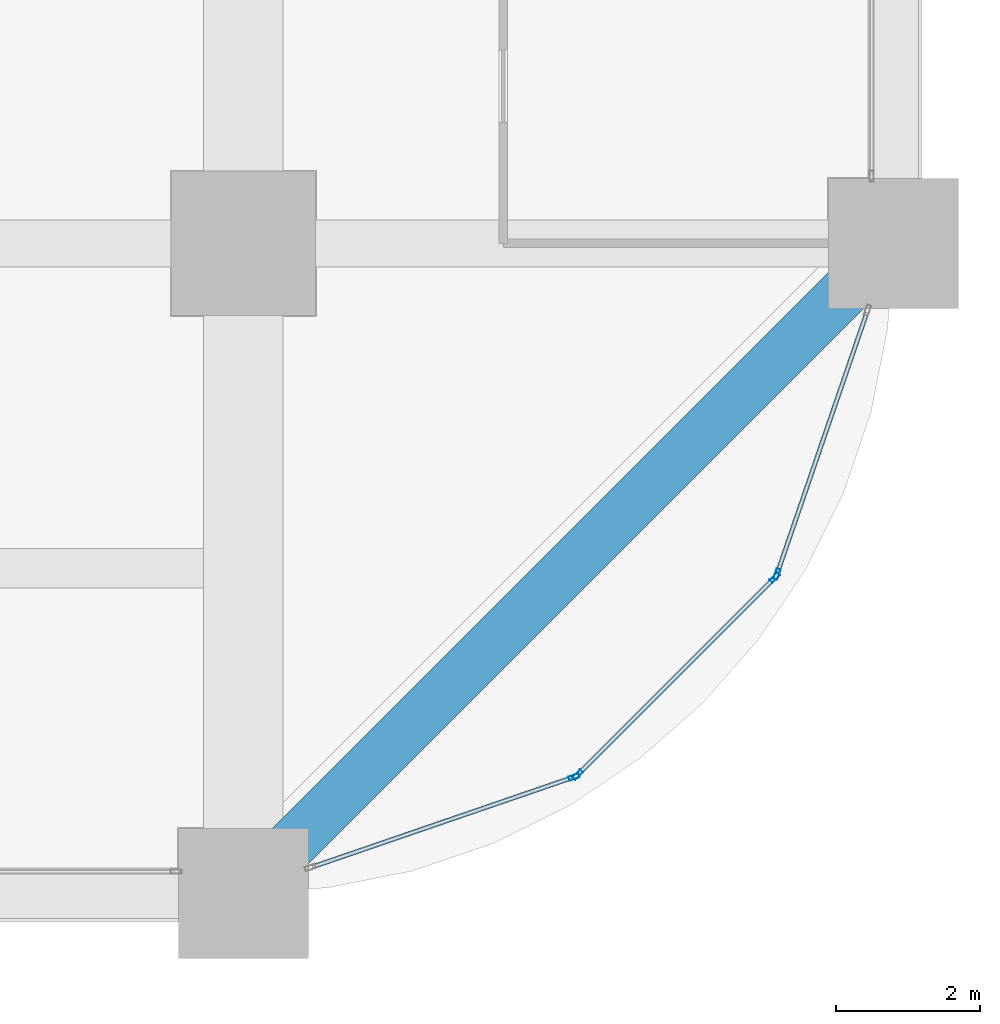
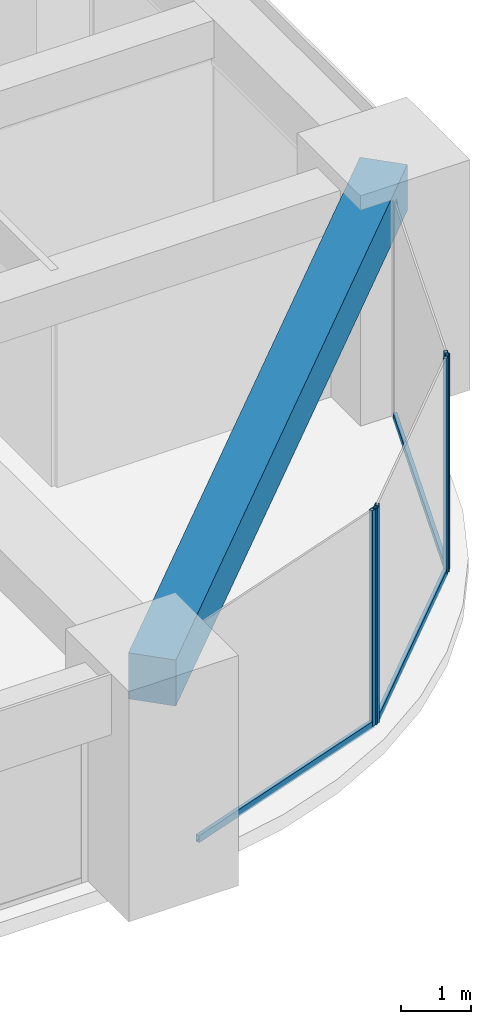
# One storey, part 17 of 41: 7 members, 1 beam, 3 elements without a shape of their own.
"""IFC4 building model written with IfcOpenShell, lengths in metres."""

from ifc_helpers import new_model, si_unit, direction, frame, origin, origin_2d, place, context, subcontext, project, spatial, rectangle, hollow_rectangle, extrude, material, material_profile, profile_set, type_object, element, aggregate, save


model = new_model("IFC4")

# Units and contexts
model_context = context("Model", 3, precision=1e-05, world=origin(), true_north=direction((0.0, 1.0)))
body_context = subcontext(model_context, "Body", "Model", "MODEL_VIEW")
ifc_project = project(units=[si_unit("LENGTHUNIT", "METRE"), si_unit("AREAUNIT", "SQUARE_METRE"), si_unit("VOLUMEUNIT", "CUBIC_METRE"), si_unit("PLANEANGLEUNIT", "RADIAN"), si_unit("MASSUNIT", "GRAM", prefix="KILO")], contexts=[model_context])

# Site, building, storey
site_placement = place(None, origin())
site = spatial("IfcSite", under=ifc_project, at=site_placement, CompositionType="ELEMENT")
building_placement = place(site_placement, origin())
building = spatial("IfcBuilding", under=site, at=building_placement, Name="Zorevar Civic Tower", CompositionType="ELEMENT")
storey_placement = place(building_placement, frame((0.0, 0.0, 109.0)))
storey = spatial("IfcBuildingStorey", under=building, at=storey_placement, Name="L26", CompositionType="ELEMENT", Elevation=109.0)

# Curtain wall, member
ifc_material_1 = material(Name="Dark grey solar-control glass in black aluminium frame", Category="aluminium")
curtain_wall_type = type_object("IfcCurtainWallType", Name="Curtain wall CW3 mid zone", PredefinedType="NOTDEFINED", material=ifc_material_1)
curtain_wall_1_placement = place(storey_placement, origin())
curtain_wall_1 = element("IfcCurtainWall", 1, at=curtain_wall_1_placement, inside=storey, type_object=curtain_wall_type, Name="CW3 L26", PredefinedType="NOTDEFINED")
ifc_material_2 = material(Name="Aluminium, black anodised", Category="aluminium")
ifc_material_profile_1 = material_profile(ifc_material_2, hollow_rectangle(XDim=0.06005859375, YDim=0.14990234375, WallThickness=0.00390625, at=origin_2d()), Name="AL 150x60x4")
ifc_profile_set_1 = profile_set([ifc_material_profile_1], Name="Aluminium, black anodised")
member_type_1 = type_object("IfcMemberType", Name="CW3 mullion AL 150x60x4", PredefinedType="MULLION", material=ifc_profile_set_1)
member_1_placement = place(storey_placement, frame((58.579345703125, 1.610595703125, 0.0), z_axis=(0.0, 0.0, 1.0), x_axis=(-0.324878466857, 0.945755772794, 0.0)))
member_1 = element("IfcMember", 2, at=member_1_placement, type_object=member_type_1, Name="CW3 mullion 2", PredefinedType="MULLION", context=body_context, shape_type="SweptSolid", body=[
    extrude(hollow_rectangle(XDim=0.06005859375, YDim=0.14990234375, WallThickness=0.00390625, at=origin_2d()), origin(), (0.0, 0.0, 1.0), 3.75),
])

# Curtain wall, members
curtain_wall_2_placement = place(storey_placement, origin())
curtain_wall_2 = element("IfcCurtainWall", 3, at=curtain_wall_2_placement, inside=storey, type_object=curtain_wall_type, Name="CW3 L26", PredefinedType="NOTDEFINED")
member_2_placement = place(storey_placement, frame((58.62890625, 1.6416015625, 0.0), z_axis=(0.0, 0.0, 1.0), x_axis=(-0.707106781187, 0.707106781187, 0.0)))
member_2 = element("IfcMember", 4, at=member_2_placement, type_object=member_type_1, Name="CW3 mullion 1", PredefinedType="MULLION", context=body_context, shape_type="SweptSolid", body=[
    extrude(hollow_rectangle(XDim=0.06005859375, YDim=0.14990234375, WallThickness=0.00390625, at=origin_2d()), origin(), (0.0, 0.0, 1.0), 3.75),
])
member_3_placement = place(storey_placement, frame((61.3583984375, 4.37109375, 0.0), z_axis=(0.0, 0.0, 1.0), x_axis=(-0.707106781187, 0.707106781187, 0.0)))
member_3 = element("IfcMember", 5, at=member_3_placement, type_object=member_type_1, Name="CW3 mullion 2", PredefinedType="MULLION", context=body_context, shape_type="SweptSolid", body=[
    extrude(hollow_rectangle(XDim=0.06005859375, YDim=0.14990234375, WallThickness=0.00390625, at=origin_2d()), origin(), (0.0, 0.0, 1.0), 3.75),
])

# Curtain wall, member
curtain_wall_3_placement = place(storey_placement, origin())
curtain_wall_3 = element("IfcCurtainWall", 6, at=curtain_wall_3_placement, inside=storey, type_object=curtain_wall_type, Name="CW3 L26", PredefinedType="NOTDEFINED")
member_4_placement = place(storey_placement, frame((61.389404296875, 4.420654296875, 0.0), z_axis=(0.0, 0.0, 1.0), x_axis=(-0.945755772794, 0.324878466857, 0.0)))
member_4 = element("IfcMember", 7, at=member_4_placement, type_object=member_type_1, Name="CW3 mullion 1", PredefinedType="MULLION", context=body_context, shape_type="SweptSolid", body=[
    extrude(hollow_rectangle(XDim=0.06005859375, YDim=0.14990234375, WallThickness=0.00390625, at=origin_2d()), origin(), (0.0, 0.0, 1.0), 3.75),
])

# Member
ifc_material_3 = material(Name="Aluminium, black anodised", Category="aluminium")
ifc_material_profile_2 = material_profile(ifc_material_3, hollow_rectangle(XDim=0.06005859375, YDim=0.1201171875, WallThickness=0.0029296875, at=origin_2d()), Name="AL 120x60x3")
ifc_profile_set_2 = profile_set([ifc_material_profile_2], Name="Aluminium, black anodised")
member_type_2 = type_object("IfcMemberType", Name="CW3 transom AL 120x60x3", PredefinedType="USERDEFINED", material=ifc_profile_set_2)
member_5_placement = place(storey_placement, frame((54.956787109375, 0.3662109375, 0.030029296875), z_axis=(0.945752620422, 0.324887643602, 0.0), x_axis=(-0.324887643602, 0.945752620422, 0.0)))
member_5 = element("IfcMember", 8, at=member_5_placement, type_object=member_type_2, Name="CW3 sill transom", ObjectType="TRANSOM", PredefinedType="USERDEFINED", context=body_context, shape_type="SweptSolid", body=[
    extrude(hollow_rectangle(XDim=0.06005859375, YDim=0.1201171875, WallThickness=0.0029296875, at=origin_2d()), origin(), (0.0, 0.0, 1.0), 3.800048828125),
])

aggregate(curtain_wall_1, [member_1, member_5])

member_6_placement = place(storey_placement, frame((58.650146484375, 1.662841796875, 0.030029296875), z_axis=(0.707106781187, 0.707106781187, 0.0), x_axis=(-0.707106781187, 0.707106781187, 0.0)))
member_6 = element("IfcMember", 9, at=member_6_placement, type_object=member_type_2, Name="CW3 sill transom", ObjectType="TRANSOM", PredefinedType="USERDEFINED", context=body_context, shape_type="SweptSolid", body=[
    extrude(hollow_rectangle(XDim=0.06005859375, YDim=0.1201171875, WallThickness=0.0029296875, at=origin_2d()), origin(), (0.0, 0.0, 1.0), 3.800048828125),
])

aggregate(curtain_wall_2, [member_2, member_3, member_6])

member_7_placement = place(storey_placement, frame((61.399169921875, 4.44921875, 0.030029296875), z_axis=(0.324887643602, 0.945752620422, 0.0), x_axis=(-0.945752620422, 0.324887643602, 0.0)))
member_7 = element("IfcMember", 10, at=member_7_placement, type_object=member_type_2, Name="CW3 sill transom", ObjectType="TRANSOM", PredefinedType="USERDEFINED", context=body_context, shape_type="SweptSolid", body=[
    extrude(hollow_rectangle(XDim=0.06005859375, YDim=0.1201171875, WallThickness=0.0029296875, at=origin_2d()), origin(), (0.0, 0.0, 1.0), 3.800048828125),
])

aggregate(curtain_wall_3, [member_4, member_7])

# Beam
ifc_material_4 = material(Name="Concrete C50/60", Category="concrete")
ifc_material_profile_3 = material_profile(ifc_material_4, rectangle(XDim=0.699951171875, YDim=0.800048828125, at=origin_2d()), Name="RC 700x800")
ifc_profile_set_3 = profile_set([ifc_material_profile_3], Name="Concrete C50/60")
beam_type = type_object("IfcBeamType", Name="Edge beam RC 700x800", PredefinedType="SPANDREL", material=ifc_profile_set_3)
beam_placement = place(storey_placement, frame((54.0, 0.0, 3.35009765625), z_axis=(0.707106781187, 0.707106781187, 0.0), x_axis=(-0.707106781187, 0.707106781187, 0.0)))
element("IfcBeam", 11, at=beam_placement, inside=storey, type_object=beam_type, Name="Corner edge beam L27", PredefinedType="SPANDREL", context=body_context, shape_type="SweptSolid", body=[
    extrude(rectangle(XDim=0.699951171875, YDim=0.800048828125, at=origin_2d()), origin(), (0.0, 0.0, 1.0), 12.72802734375),
])

save(model, "model.ifc")
